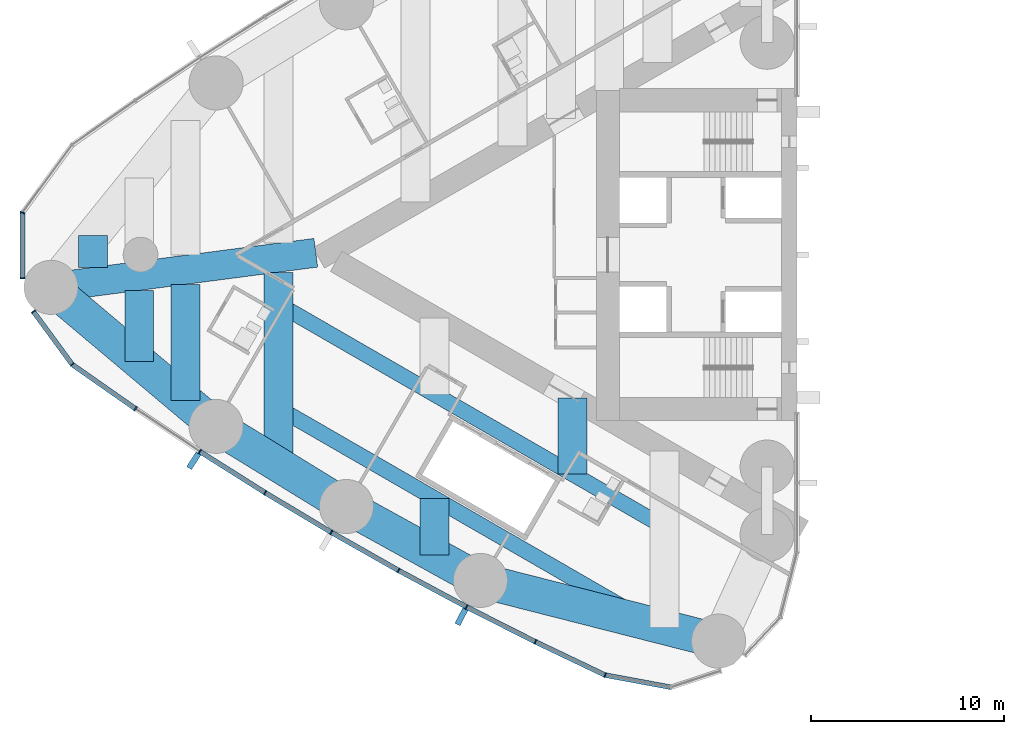
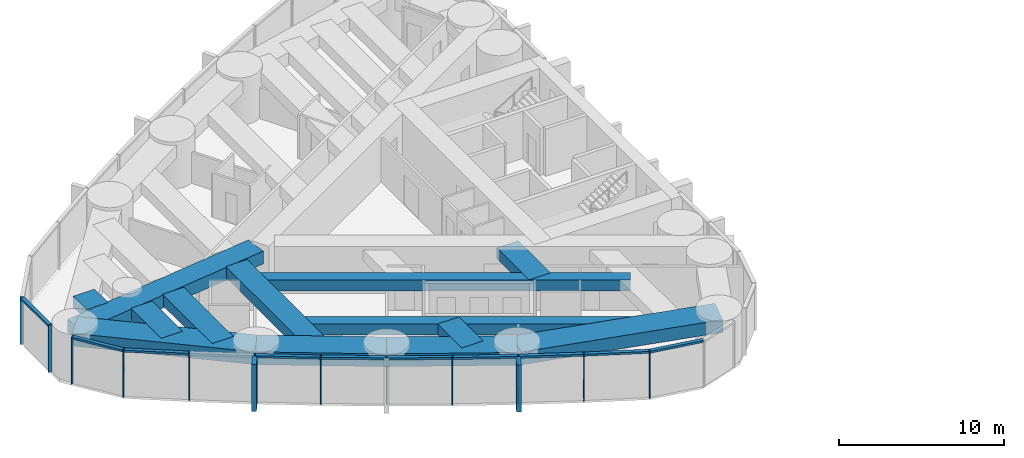
# One storey, part 2 of 19: 24 members, 13 beams, 2 elements without a shape of their own.
"""IFC4 building model written with IfcOpenShell, lengths in metres."""

from ifc_helpers import new_model, si_unit, direction, frame, origin, origin_2d, place, context, subcontext, project, spatial, rectangle, hollow_rectangle, extrude, material, material_profile, profile_set, type_object, element, aggregate, save


model = new_model("IFC4")

# Units and contexts
model_context = context("Model", 3, precision=1e-05, world=origin(), true_north=direction((0.0, 1.0)))
body_context = subcontext(model_context, "Body", "Model", "MODEL_VIEW")
ifc_project = project(units=[si_unit("LENGTHUNIT", "METRE"), si_unit("AREAUNIT", "SQUARE_METRE"), si_unit("VOLUMEUNIT", "CUBIC_METRE"), si_unit("PLANEANGLEUNIT", "RADIAN"), si_unit("MASSUNIT", "GRAM", prefix="KILO")], contexts=[model_context])

# Site, building, storey
site_placement = place(None, origin())
site = spatial("IfcSite", under=ifc_project, at=site_placement, CompositionType="ELEMENT")
building_placement = place(site_placement, origin())
building = spatial("IfcBuilding", under=site, at=building_placement, Name="Lancet Gate Hotel", CompositionType="ELEMENT")
storey_placement = place(building_placement, frame((0.0, 0.0, 191.300048828125)))
storey = spatial("IfcBuildingStorey", under=building, at=storey_placement, Name="L51", CompositionType="ELEMENT", Elevation=191.300048828125)

# Curtain wall, members
ifc_material_1 = material(Name="Aluminium curtain wall", Category="aluminium")
curtain_wall_type = type_object("IfcCurtainWallType", Name="Tower unitised curtain wall", PredefinedType="USERDEFINED", material=ifc_material_1)
curtain_wall_1_placement = place(storey_placement, origin())
curtain_wall_1 = element("IfcCurtainWall", 1, at=curtain_wall_1_placement, inside=storey, type_object=curtain_wall_type, Name="T1 L51 curtain wall 2", ObjectType="UNITISED CURTAIN WALL", PredefinedType="USERDEFINED")
ifc_material_2 = material(Name="Aluminium mullion", Category="aluminium")
ifc_material_profile_1 = material_profile(ifc_material_2, rectangle(XDim=0.06494140625, YDim=0.25, at=origin_2d()), Name="MULLION 65x250")
ifc_profile_set_1 = profile_set([ifc_material_profile_1], Name="Aluminium mullion")
member_type_1 = type_object("IfcMemberType", Name="Aluminium mullion 65x250", PredefinedType="MULLION", material=ifc_profile_set_1)
member_1_placement = place(storey_placement, frame((-67.61572265625, 2.177490234375, 0.0), z_axis=(0.0, 0.0, 1.0), x_axis=(-0.349199411078, -0.937048435943, 0.0)))
member_1 = element("IfcMember", 2, at=member_1_placement, type_object=member_type_1, Name="T1 L51 curtain wall 2 mullion 12", PredefinedType="MULLION", context=body_context, shape_type="SweptSolid", body=[
    extrude(rectangle(XDim=0.06494140625, YDim=0.25, at=origin_2d()), origin(), (0.0, 0.0, 1.0), 3.5),
])
member_2_placement = place(storey_placement, frame((-67.61572265625, -1.220458984375, 0.0), z_axis=(0.0, 0.0, 1.0), x_axis=(0.0, -1.0, 0.0)))
member_2 = element("IfcMember", 3, at=member_2_placement, type_object=member_type_1, Name="T1 L51 curtain wall 2 mullion 13", PredefinedType="MULLION", context=body_context, shape_type="SweptSolid", body=[
    extrude(rectangle(XDim=0.06494140625, YDim=0.25, at=origin_2d()), origin(), (0.0, 0.0, 1.0), 3.5),
])

curtain_wall_2_placement = place(storey_placement, origin())
curtain_wall_2 = element("IfcCurtainWall", 4, at=curtain_wall_2_placement, inside=storey, type_object=curtain_wall_type, Name="T1 L51 curtain wall 3", ObjectType="UNITISED CURTAIN WALL", PredefinedType="USERDEFINED")
member_3_placement = place(storey_placement, frame((-67.05029296875, -2.948486328125, 0.0), z_axis=(0.0, 0.0, 1.0), x_axis=(0.591299785592, -0.806451835858, 0.0)))
member_3 = element("IfcMember", 5, at=member_3_placement, type_object=member_type_1, Name="T1 L51 curtain wall 3 mullion 1", PredefinedType="MULLION", context=body_context, shape_type="SweptSolid", body=[
    extrude(rectangle(XDim=0.06494140625, YDim=0.25, at=origin_2d()), origin(), (0.0, 0.0, 1.0), 3.5),
])
member_4_placement = place(storey_placement, frame((-65.040283203125, -5.68994140625, 0.0), z_axis=(0.0, 0.0, 1.0), x_axis=(0.724381882759, -0.689398932354, 0.0)))
member_4 = element("IfcMember", 6, at=member_4_placement, type_object=member_type_1, Name="T1 L51 curtain wall 3 mullion 2", PredefinedType="MULLION", context=body_context, shape_type="SweptSolid", body=[
    extrude(rectangle(XDim=0.06494140625, YDim=0.25, at=origin_2d()), origin(), (0.0, 0.0, 1.0), 3.5),
])
member_5_placement = place(storey_placement, frame((-61.7626953125, -7.980712890625, 0.0), z_axis=(0.0, 0.0, 1.0), x_axis=(0.826312172542, -0.563212387568, 0.0)))
member_5 = element("IfcMember", 7, at=member_5_placement, type_object=member_type_1, Name="T1 L51 curtain wall 3 mullion 3", PredefinedType="MULLION", context=body_context, shape_type="SweptSolid", body=[
    extrude(rectangle(XDim=0.06494140625, YDim=0.25, at=origin_2d()), origin(), (0.0, 0.0, 1.0), 3.5),
])
member_6_placement = place(storey_placement, frame((-58.43212890625, -10.194091796875, 0.0), z_axis=(0.0, 0.0, 1.0), x_axis=(0.839331119324, -0.54362052218, 0.0)))
member_6 = element("IfcMember", 8, at=member_6_placement, type_object=member_type_1, Name="T1 L51 curtain wall 3 mullion 4", PredefinedType="MULLION", context=body_context, shape_type="SweptSolid", body=[
    extrude(rectangle(XDim=0.06494140625, YDim=0.25, at=origin_2d()), origin(), (0.0, 0.0, 1.0), 3.5),
])
member_7_placement = place(storey_placement, frame((-55.05029296875, -12.328369140625, 0.0), z_axis=(0.0, 0.0, 1.0), x_axis=(0.851885635531, -0.52372785297, 0.0)))
member_7 = element("IfcMember", 9, at=member_7_placement, type_object=member_type_1, Name="T1 L51 curtain wall 3 mullion 5", PredefinedType="MULLION", context=body_context, shape_type="SweptSolid", body=[
    extrude(rectangle(XDim=0.06494140625, YDim=0.25, at=origin_2d()), origin(), (0.0, 0.0, 1.0), 3.5),
])
member_8_placement = place(storey_placement, frame((-51.619384765625, -14.38232421875, 0.0), z_axis=(0.0, 0.0, 1.0), x_axis=(0.863968774311, -0.503545387245, 0.0)))
member_8 = element("IfcMember", 10, at=member_8_placement, type_object=member_type_1, Name="T1 L51 curtain wall 3 mullion 6", PredefinedType="MULLION", context=body_context, shape_type="SweptSolid", body=[
    extrude(rectangle(XDim=0.06494140625, YDim=0.25, at=origin_2d()), origin(), (0.0, 0.0, 1.0), 3.5),
])
member_9_placement = place(storey_placement, frame((-48.140869140625, -16.355224609375, 0.0), z_axis=(0.0, 0.0, 1.0), x_axis=(0.87557384965, -0.483084292654, 0.0)))
member_9 = element("IfcMember", 11, at=member_9_placement, type_object=member_type_1, Name="T1 L51 curtain wall 3 mullion 7", PredefinedType="MULLION", context=body_context, shape_type="SweptSolid", body=[
    extrude(rectangle(XDim=0.06494140625, YDim=0.25, at=origin_2d()), origin(), (0.0, 0.0, 1.0), 3.5),
])
member_10_placement = place(storey_placement, frame((-44.6171875, -18.245849609375, 0.0), z_axis=(0.0, 0.0, 1.0), x_axis=(0.886694440064, -0.462355891019, 0.0)))
member_10 = element("IfcMember", 12, at=member_10_placement, type_object=member_type_1, Name="T1 L51 curtain wall 3 mullion 8", PredefinedType="MULLION", context=body_context, shape_type="SweptSolid", body=[
    extrude(rectangle(XDim=0.06494140625, YDim=0.25, at=origin_2d()), origin(), (0.0, 0.0, 1.0), 3.5),
])
member_11_placement = place(storey_placement, frame((-41.0498046875, -20.052978515625, 0.0), z_axis=(0.0, 0.0, 1.0), x_axis=(0.897324392142, -0.441371652088, 0.0)))
member_11 = element("IfcMember", 13, at=member_11_placement, type_object=member_type_1, Name="T1 L51 curtain wall 3 mullion 9", PredefinedType="MULLION", context=body_context, shape_type="SweptSolid", body=[
    extrude(rectangle(XDim=0.06494140625, YDim=0.25, at=origin_2d()), origin(), (0.0, 0.0, 1.0), 3.5),
])
member_12_placement = place(storey_placement, frame((-37.44091796875, -21.775634765625, 0.0), z_axis=(0.0, 0.0, 1.0), x_axis=(0.948119321052, -0.317914694609, 0.0)))
member_12 = element("IfcMember", 14, at=member_12_placement, type_object=member_type_1, Name="T1 L51 curtain wall 3 mullion 10", PredefinedType="MULLION", context=body_context, shape_type="SweptSolid", body=[
    extrude(rectangle(XDim=0.06494140625, YDim=0.25, at=origin_2d()), origin(), (0.0, 0.0, 1.0), 3.5),
])

# Member
ifc_material_3 = material(Name="Aluminium transom", Category="aluminium")
ifc_material_profile_2 = material_profile(ifc_material_3, rectangle(XDim=0.25, YDim=0.14990234375, at=origin_2d()), Name="TRANSOM 250x150")
ifc_profile_set_2 = profile_set([ifc_material_profile_2], Name="Aluminium transom")
member_type_2 = type_object("IfcMemberType", Name="Aluminium transom 250x150", PredefinedType="USERDEFINED", material=ifc_profile_set_2)
member_13_placement = place(storey_placement, frame((-67.61572265625, 2.14501953125, 3.425048828125), z_axis=(0.0, -1.0, 0.0), x_axis=(1.0, 0.0, 0.0)))
member_13 = element("IfcMember", 15, at=member_13_placement, type_object=member_type_2, Name="T1 L51 curtain wall 2 transom 12", ObjectType="TRANSOM", PredefinedType="USERDEFINED", context=body_context, shape_type="SweptSolid", body=[
    extrude(rectangle(XDim=0.25, YDim=0.14990234375, at=origin_2d()), origin(), (0.0, 0.0, 1.0), 3.3330078125),
])

aggregate(curtain_wall_1, [member_1, member_2, member_13])

member_14_placement = place(storey_placement, frame((-67.031005859375, -2.974853515625, 3.425048828125), z_axis=(0.591306519832, -0.806446898193, 0.0), x_axis=(0.806446898193, 0.591306519832, 0.0)))
member_14 = element("IfcMember", 16, at=member_14_placement, type_object=member_type_2, Name="T1 L51 curtain wall 3 transom 1", ObjectType="TRANSOM", PredefinedType="USERDEFINED", context=body_context, shape_type="SweptSolid", body=[
    extrude(rectangle(XDim=0.25, YDim=0.14990234375, at=origin_2d()), origin(), (0.0, 0.0, 1.0), 3.333984375),
])

member_15_placement = place(storey_placement, frame((-65.013671875, -5.70849609375, 3.425048828125), z_axis=(0.819636985462, -0.572883244704, 0.0), x_axis=(0.572883244704, 0.819636985462, 0.0)))
member_15 = element("IfcMember", 17, at=member_15_placement, type_object=member_type_2, Name="T1 L51 curtain wall 3 transom 2", ObjectType="TRANSOM", PredefinedType="USERDEFINED", context=body_context, shape_type="SweptSolid", body=[
    extrude(rectangle(XDim=0.25, YDim=0.14990234375, at=origin_2d()), origin(), (0.0, 0.0, 1.0), 3.933837890625),
])

member_16_placement = place(storey_placement, frame((-58.40478515625, -10.21142578125, 3.425048828125), z_axis=(0.845671711095, -0.53370343549, 0.0), x_axis=(0.53370343549, 0.845671711095, 0.0)))
member_16 = element("IfcMember", 18, at=member_16_placement, type_object=member_type_2, Name="T1 L51 curtain wall 3 transom 4", ObjectType="TRANSOM", PredefinedType="USERDEFINED", context=body_context, shape_type="SweptSolid", body=[
    extrude(rectangle(XDim=0.25, YDim=0.14990234375, at=origin_2d()), origin(), (0.0, 0.0, 1.0), 3.93408203125),
])

member_17_placement = place(storey_placement, frame((-55.0224609375, -12.344970703125, 3.425048828125), z_axis=(0.857985365092, -0.513674131419, 0.0), x_axis=(0.513674131419, 0.857985365092, 0.0)))
member_17 = element("IfcMember", 19, at=member_17_placement, type_object=member_type_2, Name="T1 L51 curtain wall 3 transom 5", ObjectType="TRANSOM", PredefinedType="USERDEFINED", context=body_context, shape_type="SweptSolid", body=[
    extrude(rectangle(XDim=0.25, YDim=0.14990234375, at=origin_2d()), origin(), (0.0, 0.0, 1.0), 3.933837890625),
])

member_18_placement = place(storey_placement, frame((-51.591064453125, -14.3984375, 3.425048828125), z_axis=(0.869819807367, -0.493369539709, 0.0), x_axis=(0.493369539709, 0.869819807367, 0.0)))
member_18 = element("IfcMember", 20, at=member_18_placement, type_object=member_type_2, Name="T1 L51 curtain wall 3 transom 6", ObjectType="TRANSOM", PredefinedType="USERDEFINED", context=body_context, shape_type="SweptSolid", body=[
    extrude(rectangle(XDim=0.25, YDim=0.14990234375, at=origin_2d()), origin(), (0.0, 0.0, 1.0), 3.93408203125),
])

member_19_placement = place(storey_placement, frame((-48.1123046875, -16.37060546875, 3.425048828125), z_axis=(0.881185491994, -0.472770693571, 0.0), x_axis=(0.472770693571, 0.881185491994, 0.0)))
member_19 = element("IfcMember", 21, at=member_19_placement, type_object=member_type_2, Name="T1 L51 curtain wall 3 transom 7", ObjectType="TRANSOM", PredefinedType="USERDEFINED", context=body_context, shape_type="SweptSolid", body=[
    extrude(rectangle(XDim=0.25, YDim=0.14990234375, at=origin_2d()), origin(), (0.0, 0.0, 1.0), 3.93408203125),
])

member_20_placement = place(storey_placement, frame((-44.588134765625, -18.260498046875, 3.425048828125), z_axis=(0.892081477453, -0.451874581699, 0.0), x_axis=(0.451874581699, 0.892081477453, 0.0)))
member_20 = element("IfcMember", 22, at=member_20_placement, type_object=member_type_2, Name="T1 L51 curtain wall 3 transom 8", ObjectType="TRANSOM", PredefinedType="USERDEFINED", context=body_context, shape_type="SweptSolid", body=[
    extrude(rectangle(XDim=0.25, YDim=0.14990234375, at=origin_2d()), origin(), (0.0, 0.0, 1.0), 3.933837890625),
])

member_21_placement = place(storey_placement, frame((-41.0205078125, -20.06689453125, 3.425048828125), z_axis=(0.902468975385, -0.430754858902, 0.0), x_axis=(0.430754858902, 0.902468975385, 0.0)))
member_21 = element("IfcMember", 23, at=member_21_placement, type_object=member_type_2, Name="T1 L51 curtain wall 3 transom 9", ObjectType="TRANSOM", PredefinedType="USERDEFINED", context=body_context, shape_type="SweptSolid", body=[
    extrude(rectangle(XDim=0.25, YDim=0.14990234375, at=origin_2d()), origin(), (0.0, 0.0, 1.0), 3.93408203125),
])

member_22_placement = place(storey_placement, frame((-37.408935546875, -21.781494140625, 3.425048828125), z_axis=(0.983286757871, -0.182063592724, 0.0), x_axis=(0.182063592724, 0.983286757871, 0.0)))
member_22 = element("IfcMember", 24, at=member_22_placement, type_object=member_type_2, Name="T1 L51 curtain wall 3 transom 10", ObjectType="TRANSOM", PredefinedType="USERDEFINED", context=body_context, shape_type="SweptSolid", body=[
    extrude(rectangle(XDim=0.25, YDim=0.14990234375, at=origin_2d()), origin(), (0.0, 0.0, 1.0), 3.406005859375),
])

# Beams
ifc_material_4 = material(Name="Concrete C50/60", Category="concrete")
ifc_material_profile_3 = material_profile(ifc_material_4, rectangle(XDim=1.800048828125, YDim=0.949951171875, at=origin_2d()), Name="RC 1800x950")
ifc_profile_set_3 = profile_set([ifc_material_profile_3], Name="Concrete C50/60")
beam_type_1 = type_object("IfcBeamType", Name="Edge beam RC 1800x950", PredefinedType="SPANDREL", material=ifc_profile_set_3)
beam_1_placement = place(storey_placement, frame((-66.142578125, -1.6953125, 2.77490234375), z_axis=(0.765120708367, -0.64388687021, 0.0), x_axis=(0.64388687021, 0.765120708367, 0.0)))
element("IfcBeam", 25, at=beam_1_placement, inside=storey, type_object=beam_type_1, Name="T1 edge beam EB1 L51", PredefinedType="SPANDREL", context=body_context, shape_type="SweptSolid", body=[
    extrude(rectangle(XDim=1.800048828125, YDim=0.949951171875, at=origin_2d()), origin(), (0.0, 0.0, 1.0), 11.1787109375),
])
beam_2_placement = place(storey_placement, frame((-57.589599609375, -8.89306640625, 2.77490234375), z_axis=(0.851892008043, -0.523717487423, 0.0), x_axis=(0.523717487423, 0.851892008043, 0.0)))
element("IfcBeam", 26, at=beam_2_placement, inside=storey, type_object=beam_type_1, Name="T1 edge beam EB1 L51", PredefinedType="SPANDREL", context=body_context, shape_type="SweptSolid", body=[
    extrude(rectangle(XDim=1.800048828125, YDim=0.949951171875, at=origin_2d()), origin(), (0.0, 0.0, 1.0), 7.92431640625),
])
beam_3_placement = place(storey_placement, frame((-50.8388671875, -13.043212890625, 2.77490234375), z_axis=(0.875577684027, -0.483077342911, 0.0), x_axis=(0.483077342911, 0.875577684027, 0.0)))
element("IfcBeam", 27, at=beam_3_placement, inside=storey, type_object=beam_type_1, Name="T1 edge beam EB1 L51", PredefinedType="SPANDREL", context=body_context, shape_type="SweptSolid", body=[
    extrude(rectangle(XDim=1.800048828125, YDim=0.949951171875, at=origin_2d()), origin(), (0.0, 0.0, 1.0), 7.924560546875),
])
beam_4_placement = place(storey_placement, frame((-43.900390625, -16.871337890625, 2.77490234375), z_axis=(0.969008414312, -0.247027717052, 0.0), x_axis=(0.247027717052, 0.969008414312, 0.0)))
element("IfcBeam", 28, at=beam_4_placement, inside=storey, type_object=beam_type_1, Name="T1 edge beam EB1 L51", PredefinedType="SPANDREL", context=body_context, shape_type="SweptSolid", body=[
    extrude(rectangle(XDim=1.800048828125, YDim=0.949951171875, at=origin_2d()), origin(), (0.0, 0.0, 1.0), 12.7294921875),
])

# Member
ifc_material_5 = material(Name="Precast concrete C50/60", Category="concrete")
ifc_material_profile_4 = material_profile(ifc_material_5, rectangle(XDim=0.300048828125, YDim=0.89990234375, at=origin_2d()), Name="FIN 300x900")
ifc_profile_set_4 = profile_set([ifc_material_profile_4], Name="Precast concrete C50/60")
member_type_3 = type_object("IfcMemberType", Name="Exposed concrete fin 300x900", PredefinedType="USERDEFINED", material=ifc_profile_set_4)
member_23_placement = place(storey_placement, frame((-58.74462890625, -10.6767578125, 0.0), z_axis=(0.0, 0.0, 1.0), x_axis=(0.839331119324, -0.54362052218, 0.0)))
member_23 = element("IfcMember", 29, at=member_23_placement, type_object=member_type_3, Name="T1 L51 curtain wall 3 fin 4", ObjectType="FIN", PredefinedType="USERDEFINED", context=body_context, shape_type="SweptSolid", body=[
    extrude(rectangle(XDim=0.300048828125, YDim=0.89990234375, at=origin_2d()), origin(), (0.0, 0.0, 1.0), 3.5),
])

member_24_placement = place(storey_placement, frame((-44.883056640625, -18.755615234375, 0.0), z_axis=(0.0, 0.0, 1.0), x_axis=(0.886694440064, -0.462355891019, 0.0)))
member_24 = element("IfcMember", 30, at=member_24_placement, type_object=member_type_3, Name="T1 L51 curtain wall 3 fin 8", ObjectType="FIN", PredefinedType="USERDEFINED", context=body_context, shape_type="SweptSolid", body=[
    extrude(rectangle(XDim=0.300048828125, YDim=0.89990234375, at=origin_2d()), origin(), (0.0, 0.0, 1.0), 3.5),
])

aggregate(curtain_wall_2, [member_3, member_4, member_5, member_6, member_23, member_7, member_8, member_9, member_10, member_24, member_11, member_12, member_14, member_15, member_16, member_17, member_18, member_19, member_20, member_21, member_22])

# Beams
ifc_material_6 = material(Name="Concrete C50/60", Category="concrete")
ifc_material_profile_5 = material_profile(ifc_material_6, rectangle(XDim=1.5, YDim=0.800048828125, at=origin_2d()), Name="RC 1500x800")
ifc_profile_set_5 = profile_set([ifc_material_profile_5], Name="Concrete C50/60")
beam_type_2 = type_object("IfcBeamType", Name="Floor beam RC 1500x800", PredefinedType="BEAM", material=ifc_profile_set_5)
beam_5_placement = place(storey_placement, frame((-54.3681640625, -0.9130859375, 2.849853515625), z_axis=(0.0, -1.0, 0.0), x_axis=(1.0, 0.0, 0.0)))
element("IfcBeam", 31, at=beam_5_placement, inside=storey, type_object=beam_type_2, Name="T1 floor beam F11N L51", PredefinedType="BEAM", context=body_context, shape_type="SweptSolid", body=[
    extrude(rectangle(XDim=1.5, YDim=0.800048828125, at=origin_2d()), origin(), (0.0, 0.0, 1.0), 9.96044921875),
])
beam_6_placement = place(storey_placement, frame((-59.168212890625, -1.54052734375, 2.849853515625), z_axis=(0.0, -1.0, 0.0), x_axis=(1.0, 0.0, 0.0)))
element("IfcBeam", 32, at=beam_6_placement, inside=storey, type_object=beam_type_2, Name="T1 floor beam F13N L51", PredefinedType="BEAM", context=body_context, shape_type="SweptSolid", body=[
    extrude(rectangle(XDim=1.5, YDim=0.800048828125, at=origin_2d()), origin(), (0.0, 0.0, 1.0), 6.02392578125),
])
beam_7_placement = place(storey_placement, frame((-61.568359375, -1.85400390625, 2.849853515625), z_axis=(0.0, -1.0, 0.0), x_axis=(1.0, 0.0, 0.0)))
element("IfcBeam", 33, at=beam_7_placement, inside=storey, type_object=beam_type_2, Name="T1 floor beam F15N L51", PredefinedType="BEAM", context=body_context, shape_type="SweptSolid", body=[
    extrude(rectangle(XDim=1.5, YDim=0.800048828125, at=origin_2d()), origin(), (0.0, 0.0, 1.0), 3.69091796875),
])
beam_8_placement = place(storey_placement, frame((-63.96826171875, 0.996337890625, 2.849853515625), z_axis=(0.0, -1.0, 0.0), x_axis=(1.0, 0.0, 0.0)))
element("IfcBeam", 34, at=beam_8_placement, inside=storey, type_object=beam_type_2, Name="T1 floor beam F16S L51", PredefinedType="BEAM", context=body_context, shape_type="SweptSolid", body=[
    extrude(rectangle(XDim=1.5, YDim=0.800048828125, at=origin_2d()), origin(), (0.0, 0.0, 1.0), 1.6513671875),
])
beam_9_placement = place(storey_placement, frame((-39.122314453125, -7.41650390625, 2.849853515625), z_axis=(0.0, -1.0, 0.0), x_axis=(1.0, 0.0, 0.0)))
element("IfcBeam", 35, at=beam_9_placement, inside=storey, type_object=beam_type_2, Name="T1 floor beam F05NA L51", PredefinedType="BEAM", context=body_context, shape_type="SweptSolid", body=[
    extrude(rectangle(XDim=1.5, YDim=0.800048828125, at=origin_2d()), origin(), (0.0, 0.0, 1.0), 3.945556640625),
])
beam_10_placement = place(storey_placement, frame((-46.27587890625, -12.61962890625, 2.849853515625), z_axis=(0.0, -1.0, 0.0), x_axis=(1.0, 0.0, 0.0)))
element("IfcBeam", 36, at=beam_10_placement, inside=storey, type_object=beam_type_2, Name="T1 floor beam F08NB L51", PredefinedType="BEAM", context=body_context, shape_type="SweptSolid", body=[
    extrude(rectangle(XDim=1.5, YDim=0.800048828125, at=origin_2d()), origin(), (0.0, 0.0, 1.0), 2.941162109375),
])
ifc_material_7 = material(Name="Concrete C50/60", Category="concrete")
ifc_material_profile_6 = material_profile(ifc_material_7, rectangle(XDim=1.5, YDim=0.949951171875, at=origin_2d()), Name="RC 1500x950")
ifc_profile_set_6 = profile_set([ifc_material_profile_6], Name="Concrete C50/60")
beam_type_3 = type_object("IfcBeamType", Name="Radial floor beam RC 1500x950", PredefinedType="BEAM", material=ifc_profile_set_6)
beam_11_placement = place(storey_placement, frame((-66.142578125, -1.6953125, 2.77490234375), z_axis=(0.991571259053, 0.129562487702, 0.0), x_axis=(-0.129562487702, 0.991571259053, 0.0)))
element("IfcBeam", 37, at=beam_11_placement, inside=storey, type_object=beam_type_3, Name="T1 radial beam CA L51", PredefinedType="BEAM", context=body_context, shape_type="SweptSolid", body=[
    extrude(rectangle(XDim=1.5, YDim=0.949951171875, at=origin_2d()), origin(), (0.0, 0.0, 1.0), 13.8349609375),
])
ifc_material_8 = material(Name="Steel S460QL", Category="steel")
ifc_material_profile_7 = material_profile(ifc_material_8, hollow_rectangle(XDim=0.800048828125, YDim=0.800048828125, WallThickness=0.080078125, at=origin_2d()), Name="BOX 800x800x80")
ifc_profile_set_7 = profile_set([ifc_material_profile_7], Name="Steel S460QL")
beam_type_4 = type_object("IfcBeamType", Name="Trimmer beam BOX 800x800x80", PredefinedType="BEAM", material=ifc_profile_set_7)
beam_12_placement = place(storey_placement, frame((-34.353515625, -14.115234375, 2.849853515625), z_axis=(-0.866035353112, 0.499982766863, 0.0), x_axis=(-0.499982766863, -0.866035353112, 0.0)))
element("IfcBeam", 38, at=beam_12_placement, inside=storey, type_object=beam_type_4, Name="T1 trimmer beam TR01N L51", PredefinedType="BEAM", context=body_context, shape_type="SweptSolid", body=[
    extrude(hollow_rectangle(XDim=0.800048828125, YDim=0.800048828125, WallThickness=0.080078125, at=origin_2d()), origin(), (0.0, 0.0, 1.0), 23.110595703125),
])
beam_13_placement = place(storey_placement, frame((-34.966552734375, -19.14892578125, 2.849853515625), z_axis=(-0.866032239169, 0.499988160579, 0.0), x_axis=(-0.499988160579, -0.866032239169, 0.0)))
element("IfcBeam", 39, at=beam_13_placement, inside=storey, type_object=beam_type_4, Name="T1 trimmer beam TR02N L51", PredefinedType="BEAM", context=body_context, shape_type="SweptSolid", body=[
    extrude(hollow_rectangle(XDim=0.800048828125, YDim=0.800048828125, WallThickness=0.080078125, at=origin_2d()), origin(), (0.0, 0.0, 1.0), 22.40283203125),
])

save(model, "model.ifc")
